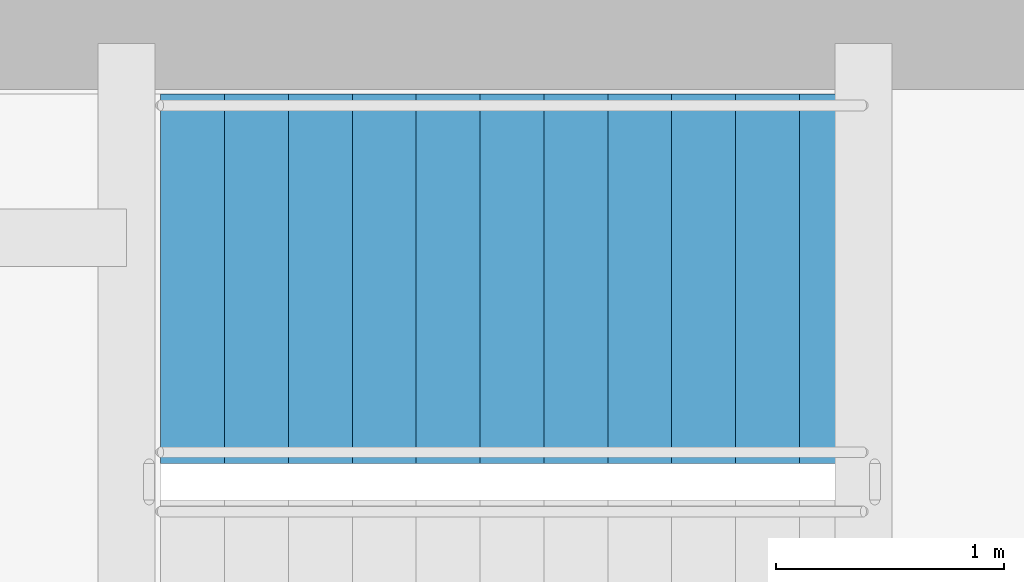
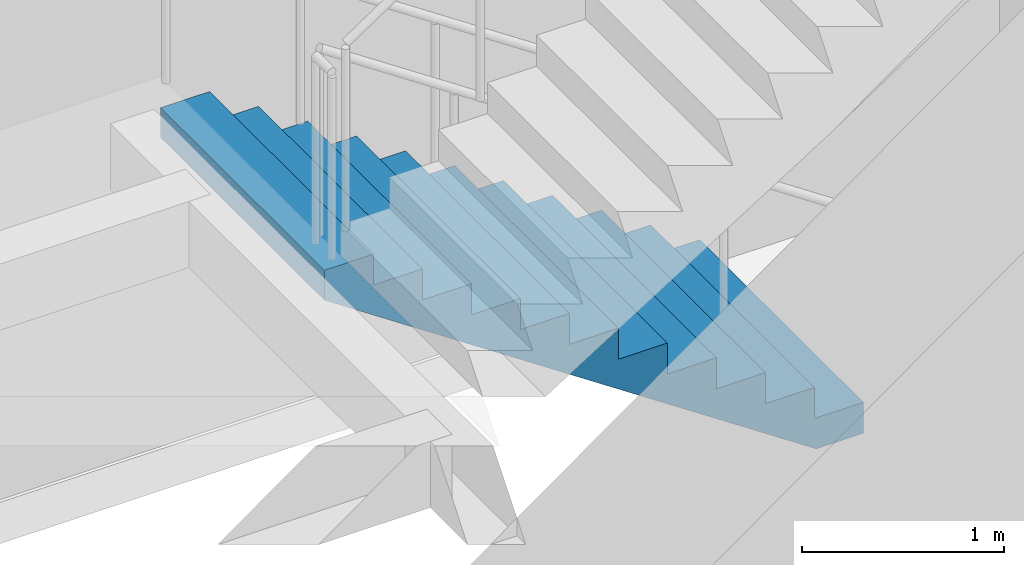
# One storey, part 17 of 22: 1 stair flight, 1 element without a shape of its own.
"""IFC4 building model written with IfcOpenShell, lengths in metres."""

import ifcopenshell
import ifcopenshell.guid

model = None  # the IFC model being written
_history = None  # IfcOwnerHistory: only IFC2X3 demands one
_inside = {}  # id of a spatial element -> (the spatial element, [elements in it])
_under = {}  # id of a project, library or spatial element -> (it, [spatial elements below it])
_declared = {}  # id of a project -> (the project, [libraries it declares])
_typed = {}  # id of a type object -> (the type object, [elements of that type])
_made_of = {}  # id of a material, layer set ... -> (it, [elements and type objects made of it])


def new_model(schema):
    """Start an empty IFC model of exactly this schema.

    Asked for "IFC4X3", IfcOpenShell would pick the latest addendum, in which some entities
    have other attributes; the version numbers below select the first issue.
    IFC2X3 requires an IfcOwnerHistory on every rooted entity: one is made here for all.
    """
    global model, _history
    if schema == "IFC4X3":
        model = ifcopenshell.file(schema_version=(4, 3, 0, 0))
    else:
        model = ifcopenshell.file(schema=schema)
    _inside.clear()
    _under.clear()
    _declared.clear()
    _typed.clear()
    _made_of.clear()
    _history = None
    if model.schema == "IFC2X3":
        org = make("IfcOrganization", Name="unknown")
        user = make(
            "IfcPersonAndOrganization",
            ThePerson=make("IfcPerson", FamilyName="unknown"),
            TheOrganization=org,
        )
        app = make(
            "IfcApplication",
            ApplicationDeveloper=org,
            Version="unknown",
            ApplicationFullName="unknown",
            ApplicationIdentifier="unknown",
        )
        _history = make(
            "IfcOwnerHistory",
            OwningUser=user,
            OwningApplication=app,
            ChangeAction="ADDED",
            CreationDate=0,
        )
    return model


def make(cls, **values):
    """One entity of the class cls with the attributes given. An attribute that is None is left unset."""
    return model.create_entity(
        cls, **{name: value for name, value in values.items() if value is not None}
    )


def rooted(cls, **values):
    """An entity with a GlobalId (a new one), such as an element, a storey or a relation."""
    return make(cls, GlobalId=ifcopenshell.guid.new(), OwnerHistory=_history, **values)


def si_unit(unit_type, name, prefix=None):
    """IfcSIUnit, for example si_unit("LENGTHUNIT", "METRE", prefix="MILLI")."""
    return make("IfcSIUnit", UnitType=unit_type, Prefix=prefix, Name=name)


def assignment(units):
    """IfcUnitAssignment: the units of a project."""
    return None if units is None else make("IfcUnitAssignment", Units=units)


def point(xyz):
    """IfcCartesianPoint."""
    return None if xyz is None else make("IfcCartesianPoint", Coordinates=xyz)


def direction(xyz):
    """IfcDirection."""
    return None if xyz is None else make("IfcDirection", DirectionRatios=xyz)


def frame(location, z_axis=None, x_axis=None):
    """IfcAxis2Placement3D, a coordinate frame: its origin and axes. An axis left out is left unset."""
    return make(
        "IfcAxis2Placement3D",
        Location=point(location),
        Axis=direction(z_axis),
        RefDirection=direction(x_axis),
    )


def origin():
    """The frame at (0, 0, 0) with its axes left unset."""
    return frame((0.0, 0.0, 0.0))


def place(relative_to, where):
    """IfcLocalPlacement: puts the frame where relative to a parent placement (None: the world)."""
    return make(
        "IfcLocalPlacement", PlacementRelTo=relative_to, RelativePlacement=where
    )


def context(
    kind, dimensions, precision=None, world=None, true_north=None, identifier=None
):
    """IfcGeometricRepresentationContext, for example the 3D "Model" context."""
    return make(
        "IfcGeometricRepresentationContext",
        ContextIdentifier=identifier,
        ContextType=kind,
        CoordinateSpaceDimension=dimensions,
        Precision=precision,
        WorldCoordinateSystem=world,
        TrueNorth=true_north,
    )


def subcontext(parent, identifier, kind, view, scale=None):
    """IfcGeometricRepresentationSubContext, for example "Body" below "Model"."""
    return make(
        "IfcGeometricRepresentationSubContext",
        ContextIdentifier=identifier,
        ContextType=kind,
        ParentContext=parent,
        TargetScale=scale,
        TargetView=view,
    )


def project(units=None, contexts=None):
    """IfcProject with its units and contexts."""
    return rooted(
        "IfcProject",
        Name="project",
        RepresentationContexts=contexts,
        UnitsInContext=assignment(units),
    )


def spatial(cls, under=None, at=None, **own):
    """A site, building, storey or space (cls), placed at a placement, below another one or the project."""
    s = rooted(cls, ObjectPlacement=at, **own)
    if under is not None:
        _under.setdefault(under.id(), (under, []))[1].append(s)
    return s


def polyline(points):
    """IfcPolyline through the points."""
    return make("IfcPolyline", Points=[point(p) for p in points])


def outline(outer, holes=None, kind="AREA"):
    """IfcArbitraryClosedProfileDef: a profile drawn as a closed curve; with holes, ...WithVoids."""
    if holes is None:
        return make("IfcArbitraryClosedProfileDef", ProfileType=kind, OuterCurve=outer)
    return make(
        "IfcArbitraryProfileDefWithVoids",
        ProfileType=kind,
        OuterCurve=outer,
        InnerCurves=holes,
    )


def extrude(swept, where, along, depth):
    """IfcExtrudedAreaSolid: the profile swept, set in the frame where, extruded along a direction by depth."""
    return make(
        "IfcExtrudedAreaSolid",
        SweptArea=swept,
        Position=where,
        ExtrudedDirection=direction(along),
        Depth=depth,
    )


def shape(context_of_items, identifier, shape_type, items):
    """IfcShapeRepresentation: the items that make up one representation, for example the "Body"."""
    return make(
        "IfcShapeRepresentation",
        ContextOfItems=context_of_items,
        RepresentationIdentifier=identifier,
        RepresentationType=shape_type,
        Items=items,
    )


def material(Name=None, Category=None):
    """IfcMaterial."""
    return make("IfcMaterial", Name=Name, Category=Category)


def layer(
    of_material, thickness, ventilated=None, Name=None, Category=None, Priority=None
):
    """IfcMaterialLayer: one layer of a wall or slab, of a material (None: an air gap)."""
    return make(
        "IfcMaterialLayer",
        Material=of_material,
        LayerThickness=thickness,
        IsVentilated=ventilated,
        Name=Name,
        Category=Category,
        Priority=Priority,
    )


def layer_set(layers, Name=None):
    """IfcMaterialLayerSet."""
    return make("IfcMaterialLayerSet", MaterialLayers=layers, LayerSetName=Name)


def made_of(thing, what):
    """Note that an element or type object is made of a material, layer set ...; save() writes the relation."""
    if what is not None:
        _made_of.setdefault(what.id(), (what, []))[1].append(thing)
    return thing


def type_object(cls, material=None, **own):
    """A type object (cls), such as IfcWallType, which elements share."""
    return made_of(rooted(cls, **own), material)


def element(
    cls,
    number,
    at=None,
    inside=None,
    cuts=None,
    type_object=None,
    material=None,
    context=None,
    identifier="Body",
    shape_type=None,
    held_by="IfcProductDefinitionShape",
    body=None,
    shapes=None,
    **own,
):
    """One element of the class cls, such as IfcWall. Its Tag is "e" and its number.

    at: its placement. inside: the storey or other place that contains it. cuts: it is an
    opening in that element (IfcRelVoidsElement). A single representation is given by context,
    identifier, shape_type and body (its items); several are given by shapes. held_by: the class
    of the entity that holds the representations. save() writes the other relations.
    """
    e = rooted(cls, Tag="e%d" % number, ObjectPlacement=at, **own)
    if body is not None:
        shapes = [shape(context, identifier, shape_type, body)]
    if shapes is not None:
        e.Representation = make(held_by, Representations=shapes)
    if inside is not None:
        _inside.setdefault(inside.id(), (inside, []))[1].append(e)
    if cuts is not None:
        rooted(
            "IfcRelVoidsElement", RelatingBuildingElement=cuts, RelatedOpeningElement=e
        )
    if type_object is not None:
        _typed.setdefault(type_object.id(), (type_object, []))[1].append(e)
    return made_of(e, material)


def aggregate(whole, parts):
    """IfcRelAggregates: a whole, such as a stair, and the parts it consists of."""
    return rooted("IfcRelAggregates", RelatingObject=whole, RelatedObjects=parts)


def save(model, path):
    """Write the relations noted so far, then the file.

    IfcRelAggregates (storeys below a building ...), IfcRelContainedInSpatialStructure (elements
    in a storey), IfcRelDefinesByType, IfcRelAssociatesMaterial and IfcRelDeclares: one each for
    every whole, place, type object, material and project.
    """
    for whole, parts in _under.values():
        aggregate(whole, parts)
    for where, things in _inside.values():
        rooted(
            "IfcRelContainedInSpatialStructure",
            RelatedElements=things,
            RelatingStructure=where,
        )
    for kind, things in _typed.values():
        rooted("IfcRelDefinesByType", RelatedObjects=things, RelatingType=kind)
    for what, things in _made_of.values():
        rooted("IfcRelAssociatesMaterial", RelatedObjects=things, RelatingMaterial=what)
    for by, libraries in _declared.values():
        rooted("IfcRelDeclares", RelatingContext=by, RelatedDefinitions=libraries)
    model.write(path)


model = new_model("IFC4")

# Units and contexts
model_context = context("Model", 3, precision=1e-05, world=origin(), true_north=direction((0.0, 1.0)))
body_context = subcontext(model_context, "Body", "Model", "MODEL_VIEW")
ifc_project = project(units=[si_unit("LENGTHUNIT", "METRE"), si_unit("AREAUNIT", "SQUARE_METRE"), si_unit("VOLUMEUNIT", "CUBIC_METRE"), si_unit("PLANEANGLEUNIT", "RADIAN"), si_unit("MASSUNIT", "GRAM", prefix="KILO")], contexts=[model_context])

# Site, building, storey
site_placement = place(None, origin())
site = spatial("IfcSite", under=ifc_project, at=site_placement, CompositionType="ELEMENT")
building_placement = place(site_placement, origin())
building = spatial("IfcBuilding", under=site, at=building_placement, Name="Qingluan Cross Belvedere", CompositionType="ELEMENT")
storey_placement = place(building_placement, frame((0.0, 0.0, 100.199951171875)))
storey = spatial("IfcBuildingStorey", under=building, at=storey_placement, Name="L25", CompositionType="ELEMENT", Elevation=100.199951171875)

# Stair, stair flight
ifc_material_1 = material(Name="Concrete C40", Category="concrete")
stair_type = type_object("IfcStairType", Name="CoreDoglegStair_1620", PredefinedType="HALF_TURN_STAIR", material=ifc_material_1)
stair_placement = place(storey_placement, origin())
stair = element("IfcStair", 1, at=stair_placement, inside=storey, type_object=stair_type, Name="L25 ST3", PredefinedType="HALF_TURN_STAIR")
ifc_material_2 = material(Name="Concrete C40", Category="concrete")
ifc_layer = layer(ifc_material_2, 0.179931640625, Name="StairFlight_RC180")
ifc_layer_set = layer_set([ifc_layer], Name="Concrete C40")
stair_flight_type = type_object("IfcStairFlightType", Name="StairFlight_RC180", PredefinedType="STRAIGHT", material=ifc_layer_set)
stair_flight_placement = place(storey_placement, frame((-6.179931640625, 8.010009765625, 0.0), z_axis=(0.0, 0.0, 1.0), x_axis=(-1.0, 0.0, 0.0)))
stair_flight = element("IfcStairFlight", 2, at=stair_flight_placement, type_object=stair_flight_type, Name="ST3 flight 1", NumberOfRisers=12, NumberOfTreads=11, PredefinedType="STRAIGHT", RiserHeight=0.1875, TreadLength=0.28, context=body_context, shape_type="SweptSolid", body=[
    extrude(outline(polyline([(0.0, 0.0), (0.0, 0.1875), (0.280029296875, 0.1875), (0.280029296875, 0.375), (0.56005859375, 0.375), (0.56005859375, 0.5625), (0.840087890625, 0.5625), (0.840087890625, 0.75), (1.1201171875, 0.75), (1.1201171875, 0.9375), (1.39990234375, 0.9375), (1.39990234375, 1.125), (1.679931640625, 1.125), (1.679931640625, 1.3125), (1.9599609375, 1.3125), (1.9599609375, 1.5), (2.239990234375, 1.5), (2.239990234375, 1.6875), (2.52001953125, 1.6875), (2.52001953125, 1.875), (2.800048828125, 1.875), (2.800048828125, 2.0625), (3.080078125, 2.0625), (3.080078125, 2.25), (3.080078125, 1.882080078125), (0.26953125, 0.0), (0.0, 0.0)])), frame((0.0, 0.81005859375, 0.0), z_axis=(0.0, -1.0, 0.0), x_axis=(1.0, 0.0, 0.0)), (0.0, 0.0, 1.0), 1.6201171875),
])
aggregate(stair, [stair_flight])

save(model, "model.ifc")
